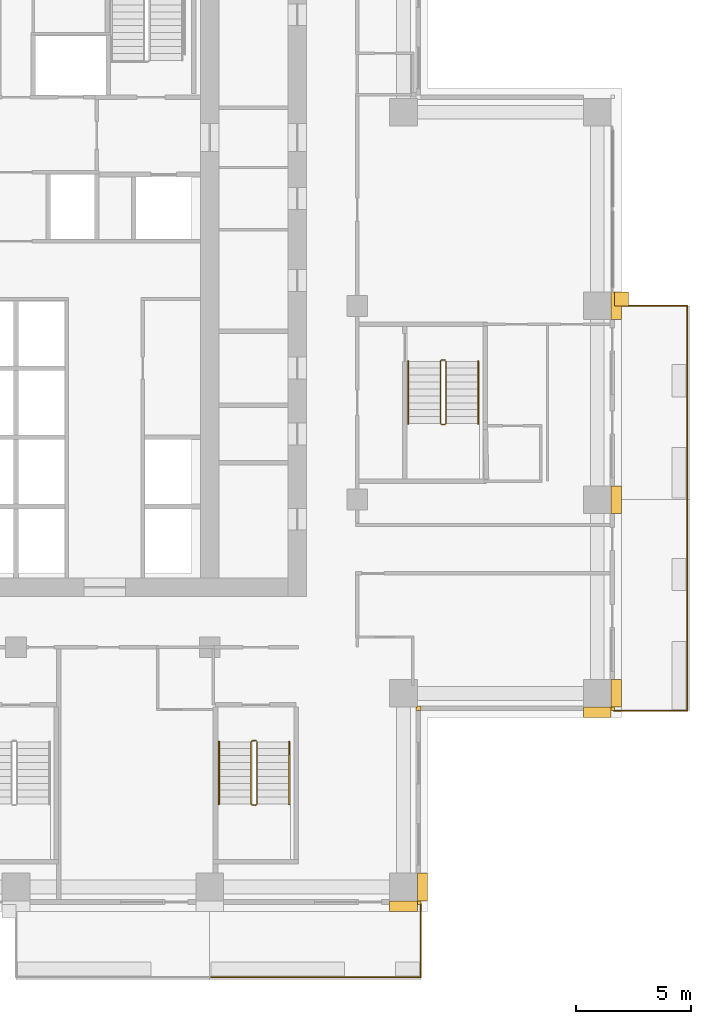
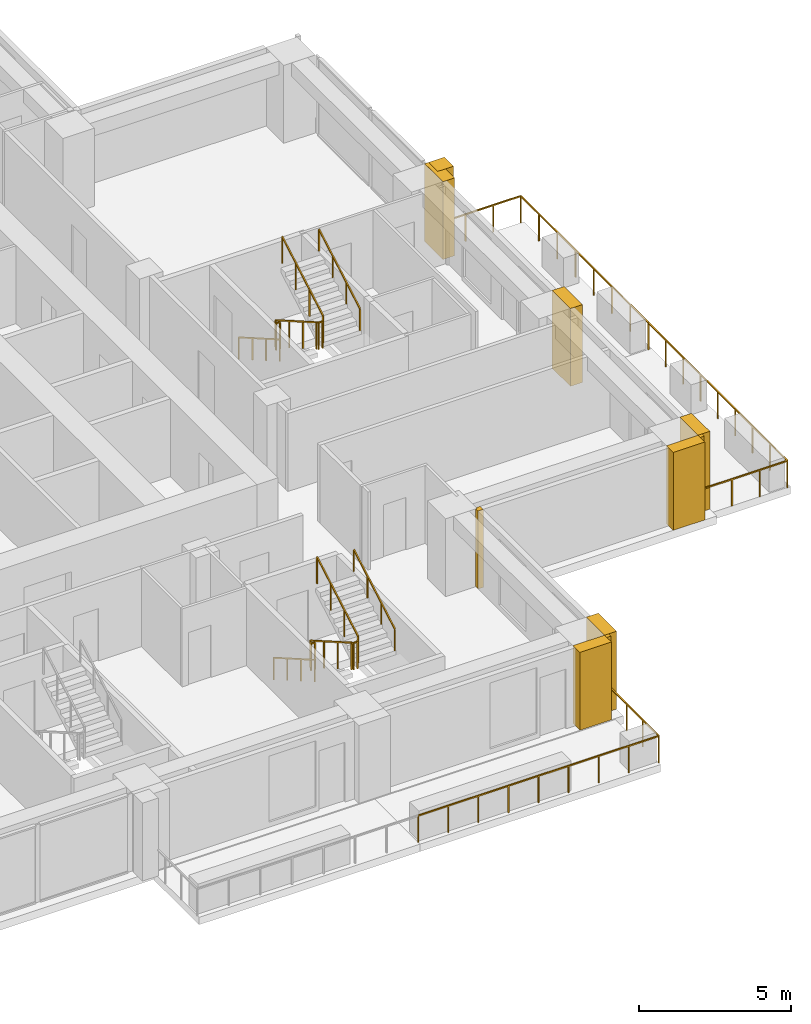
# One storey, part 16 of 18: 10 coverings, 9 railings.
"""IFC4 building model written with IfcOpenShell, lengths in metres."""

from ifc_helpers import new_model, si_unit, direction, frame, origin, origin_2d, place, context, subcontext, project, spatial, polyline, rectangle, outline, extrude, material, type_object, element, save


model = new_model("IFC4")

# Units and contexts
model_context = context("Model", 3, precision=1e-05, world=origin(), true_north=direction((0.0, 1.0)))
body_context = subcontext(model_context, "Body", "Model", "MODEL_VIEW")
ifc_project = project(units=[si_unit("LENGTHUNIT", "METRE"), si_unit("AREAUNIT", "SQUARE_METRE"), si_unit("VOLUMEUNIT", "CUBIC_METRE"), si_unit("PLANEANGLEUNIT", "RADIAN"), si_unit("MASSUNIT", "GRAM", prefix="KILO")], contexts=[model_context])

# Site, building, storey
site_placement = place(None, origin())
site = spatial("IfcSite", under=ifc_project, at=site_placement, CompositionType="ELEMENT")
building_placement = place(site_placement, origin())
building = spatial("IfcBuilding", under=site, at=building_placement, Name="Vermilion Ogive Tower", CompositionType="ELEMENT")
storey_placement = place(building_placement, frame((0.0, 0.0, 108.0)))
storey = spatial("IfcBuildingStorey", under=building, at=storey_placement, Name="L27", CompositionType="ELEMENT", Elevation=108.0)

# Railings
ifc_material_1 = material(Name="Stainless steel and glass", Category="steel")
railing_type_1 = type_object("IfcRailingType", Name="Balcony guard", PredefinedType="GUARDRAIL", material=ifc_material_1)
railing_1_placement = place(storey_placement, frame((8.39990234375, -24.909912109375, -0.0400390625)))
element("IfcRailing", 1, at=railing_1_placement, inside=storey, type_object=railing_type_1, Name="Guard S04", PredefinedType="GUARDRAIL", context=body_context, shape_type="SweptSolid", body=[
    extrude(rectangle(XDim=0.048095703125, YDim=0.048095703125, at=origin_2d()), frame((0.0, 0.0, 1.076171875), z_axis=(1.0, 0.0, 0.0), x_axis=(0.0, 1.0, 0.0)), (0.0, 0.0, 1.0), 9.150146484375),
    extrude(rectangle(XDim=0.048095703125, YDim=0.048095703125, at=origin_2d()), frame((9.150146484375, 0.0, 1.076171875), z_axis=(0.0, 1.0, 0.0), x_axis=(-1.0, 0.0, 0.0)), (0.0, 0.0, 1.0), 3.159912109375),
    extrude(rectangle(XDim=0.0419921875, YDim=0.0419921875, at=origin_2d()), origin(), (0.0, 0.0, 1.0), 1.052001953125),
    extrude(rectangle(XDim=0.0419921875, YDim=0.0419921875, at=origin_2d()), frame((1.143798828125, 0.0, 0.0)), (0.0, 0.0, 1.0), 1.052001953125),
    extrude(rectangle(XDim=0.0419921875, YDim=0.0419921875, at=origin_2d()), frame((2.28759765625, 0.0, 0.0)), (0.0, 0.0, 1.0), 1.052001953125),
    extrude(rectangle(XDim=0.0419921875, YDim=0.0419921875, at=origin_2d()), frame((3.431396484375, 0.0, 0.0)), (0.0, 0.0, 1.0), 1.052001953125),
    extrude(rectangle(XDim=0.0419921875, YDim=0.0419921875, at=origin_2d()), frame((4.5751953125, 0.0, 0.0)), (0.0, 0.0, 1.0), 1.052001953125),
    extrude(rectangle(XDim=0.0419921875, YDim=0.0419921875, at=origin_2d()), frame((5.71875, 0.0, 0.0)), (0.0, 0.0, 1.0), 1.052001953125),
    extrude(rectangle(XDim=0.0419921875, YDim=0.0419921875, at=origin_2d()), frame((6.862548828125, 0.0, 0.0)), (0.0, 0.0, 1.0), 1.052001953125),
    extrude(rectangle(XDim=0.0419921875, YDim=0.0419921875, at=origin_2d()), frame((8.00634765625, 0.0, 0.0)), (0.0, 0.0, 1.0), 1.052001953125),
    extrude(rectangle(XDim=0.0419921875, YDim=0.0419921875, at=origin_2d()), frame((9.150146484375, 0.0, 0.0)), (0.0, 0.0, 1.0), 1.052001953125),
    extrude(rectangle(XDim=0.0419921875, YDim=0.0419921875, at=origin_2d()), frame((9.150146484375, 1.05322265625, 0.0)), (0.0, 0.0, 1.0), 1.052001953125),
    extrude(rectangle(XDim=0.0419921875, YDim=0.0419921875, at=origin_2d()), frame((9.150146484375, 2.106689453125, 0.0)), (0.0, 0.0, 1.0), 1.052001953125),
    extrude(rectangle(XDim=0.0419921875, YDim=0.0419921875, at=origin_2d()), frame((9.150146484375, 3.159912109375, 0.0)), (0.0, 0.0, 1.0), 1.052001953125),
])
railing_2_placement = place(storey_placement, frame((25.949951171875, -13.35009765625, -0.0400390625)))
element("IfcRailing", 2, at=railing_2_placement, inside=storey, type_object=railing_type_1, Name="Guard E01", PredefinedType="GUARDRAIL", context=body_context, shape_type="SweptSolid", body=[
    extrude(rectangle(XDim=0.048095703125, YDim=0.048095703125, at=origin_2d()), frame((0.0, 0.0, 1.076171875), z_axis=(1.0, 0.0, 0.0), x_axis=(0.0, 1.0, 0.0)), (0.0, 0.0, 1.0), 3.16015625),
    extrude(rectangle(XDim=0.048095703125, YDim=0.048095703125, at=origin_2d()), frame((3.16015625, 0.0, 1.076171875), z_axis=(0.0, 1.0, 0.0), x_axis=(-1.0, 0.0, 0.0)), (0.0, 0.0, 1.0), 9.150146484375),
    extrude(rectangle(XDim=0.0419921875, YDim=0.0419921875, at=origin_2d()), origin(), (0.0, 0.0, 1.0), 1.052001953125),
    extrude(rectangle(XDim=0.0419921875, YDim=0.0419921875, at=origin_2d()), frame((1.053466796875, 0.0, 0.0)), (0.0, 0.0, 1.0), 1.052001953125),
    extrude(rectangle(XDim=0.0419921875, YDim=0.0419921875, at=origin_2d()), frame((2.106689453125, 0.0, 0.0)), (0.0, 0.0, 1.0), 1.052001953125),
    extrude(rectangle(XDim=0.0419921875, YDim=0.0419921875, at=origin_2d()), frame((3.16015625, 0.0, 0.0)), (0.0, 0.0, 1.0), 1.052001953125),
    extrude(rectangle(XDim=0.0419921875, YDim=0.0419921875, at=origin_2d()), frame((3.16015625, 1.143798828125, 0.0)), (0.0, 0.0, 1.0), 1.052001953125),
    extrude(rectangle(XDim=0.0419921875, YDim=0.0419921875, at=origin_2d()), frame((3.16015625, 2.28759765625, 0.0)), (0.0, 0.0, 1.0), 1.052001953125),
    extrude(rectangle(XDim=0.0419921875, YDim=0.0419921875, at=origin_2d()), frame((3.16015625, 3.431396484375, 0.0)), (0.0, 0.0, 1.0), 1.052001953125),
    extrude(rectangle(XDim=0.0419921875, YDim=0.0419921875, at=origin_2d()), frame((3.16015625, 4.5751953125, 0.0)), (0.0, 0.0, 1.0), 1.052001953125),
    extrude(rectangle(XDim=0.0419921875, YDim=0.0419921875, at=origin_2d()), frame((3.16015625, 5.71875, 0.0)), (0.0, 0.0, 1.0), 1.052001953125),
    extrude(rectangle(XDim=0.0419921875, YDim=0.0419921875, at=origin_2d()), frame((3.16015625, 6.862548828125, 0.0)), (0.0, 0.0, 1.0), 1.052001953125),
    extrude(rectangle(XDim=0.0419921875, YDim=0.0419921875, at=origin_2d()), frame((3.16015625, 8.00634765625, 0.0)), (0.0, 0.0, 1.0), 1.052001953125),
    extrude(rectangle(XDim=0.0419921875, YDim=0.0419921875, at=origin_2d()), frame((3.16015625, 9.150146484375, 0.0)), (0.0, 0.0, 1.0), 1.052001953125),
])
railing_3_placement = place(storey_placement, frame((29.110107421875, -4.199951171875, -0.0400390625)))
element("IfcRailing", 3, at=railing_3_placement, inside=storey, type_object=railing_type_1, Name="Guard E02", PredefinedType="GUARDRAIL", context=body_context, shape_type="SweptSolid", body=[
    extrude(rectangle(XDim=0.048095703125, YDim=0.048095703125, at=origin_2d()), frame((0.0, 0.0, 1.076171875), z_axis=(0.0, 1.0, 0.0), x_axis=(-1.0, 0.0, 0.0)), (0.0, 0.0, 1.0), 8.39990234375),
    extrude(rectangle(XDim=0.048095703125, YDim=0.048095703125, at=origin_2d()), frame((0.0, 8.39990234375, 1.076171875), z_axis=(-1.0, 0.0, 0.0), x_axis=(0.0, -1.0, 0.0)), (0.0, 0.0, 1.0), 3.16015625),
    extrude(rectangle(XDim=0.0419921875, YDim=0.0419921875, at=origin_2d()), origin(), (0.0, 0.0, 1.0), 1.052001953125),
    extrude(rectangle(XDim=0.0419921875, YDim=0.0419921875, at=origin_2d()), frame((0.0, 1.199951171875, 0.0)), (0.0, 0.0, 1.0), 1.052001953125),
    extrude(rectangle(XDim=0.0419921875, YDim=0.0419921875, at=origin_2d()), frame((0.0, 2.39990234375, 0.0)), (0.0, 0.0, 1.0), 1.052001953125),
    extrude(rectangle(XDim=0.0419921875, YDim=0.0419921875, at=origin_2d()), frame((0.0, 3.599853515625, 0.0)), (0.0, 0.0, 1.0), 1.052001953125),
    extrude(rectangle(XDim=0.0419921875, YDim=0.0419921875, at=origin_2d()), frame((0.0, 4.800048828125, 0.0)), (0.0, 0.0, 1.0), 1.052001953125),
    extrude(rectangle(XDim=0.0419921875, YDim=0.0419921875, at=origin_2d()), frame((0.0, 6.0, 0.0)), (0.0, 0.0, 1.0), 1.052001953125),
    extrude(rectangle(XDim=0.0419921875, YDim=0.0419921875, at=origin_2d()), frame((0.0, 7.199951171875, 0.0)), (0.0, 0.0, 1.0), 1.052001953125),
    extrude(rectangle(XDim=0.0419921875, YDim=0.0419921875, at=origin_2d()), frame((0.0, 8.39990234375, 0.0)), (0.0, 0.0, 1.0), 1.052001953125),
    extrude(rectangle(XDim=0.0419921875, YDim=0.0419921875, at=origin_2d()), frame((-1.053466796875, 8.39990234375, 0.0)), (0.0, 0.0, 1.0), 1.052001953125),
    extrude(rectangle(XDim=0.0419921875, YDim=0.0419921875, at=origin_2d()), frame((-2.106689453125, 8.39990234375, 0.0)), (0.0, 0.0, 1.0), 1.052001953125),
    extrude(rectangle(XDim=0.0419921875, YDim=0.0419921875, at=origin_2d()), frame((-3.16015625, 8.39990234375, 0.0)), (0.0, 0.0, 1.0), 1.052001953125),
])
ifc_material_2 = material(Name="Steel S355 painted", Category="steel")
railing_type_2 = type_object("IfcRailingType", Name="Stair guard 1100", PredefinedType="GUARDRAIL", material=ifc_material_2)
railing_4_placement = place(storey_placement, frame((10.39990234375, -14.64990234375, 0.0)))
element("IfcRailing", 4, at=railing_4_placement, inside=storey, type_object=railing_type_2, Name="L27 ST5 stair guard 4", PredefinedType="GUARDRAIL", context=body_context, shape_type="SweptSolid", body=[
    extrude(rectangle(XDim=0.048095703125, YDim=0.048095703125, at=origin_2d()), frame((0.0, 0.0, 1.076171875), z_axis=(-1.0, 0.0, 0.0), x_axis=(0.0, -1.0, 0.0)), (0.0, 0.0, 1.0), 0.14990234375),
    extrude(rectangle(XDim=0.048095703125, YDim=0.048095703125, at=origin_2d()), frame((-0.14990234375, 0.0, 1.076171875), z_axis=(-0.268277960024, -0.268277960024, 0.925231793839), x_axis=(0.707106781187, -0.707106781187, 0.0)), (0.0, 0.0, 1.0), 0.1865234375),
    extrude(rectangle(XDim=0.048095703125, YDim=0.048095703125, at=origin_2d()), frame((-0.199951171875, -0.050048828125, 1.24853515625), z_axis=(0.0, -0.866903762492, 0.498475542607), x_axis=(1.0, 0.0, 0.0)), (0.0, 0.0, 1.0), 3.114501953125),
    extrude(rectangle(XDim=0.048095703125, YDim=0.048095703125, at=origin_2d()), frame((-0.199951171875, -2.75, 2.80126953125), z_axis=(0.707106781187, -0.707106781187, 0.0), x_axis=(0.707106781187, 0.707106781187, 0.0)), (0.0, 0.0, 1.0), 0.07080078125),
    extrude(rectangle(XDim=0.048095703125, YDim=0.048095703125, at=origin_2d()), frame((-0.14990234375, -2.800048828125, 2.80126953125), z_axis=(1.0, 0.0, 0.0), x_axis=(0.0, 1.0, 0.0)), (0.0, 0.0, 1.0), 0.14990234375),
    extrude(rectangle(XDim=0.048095703125, YDim=0.048095703125, at=origin_2d()), frame((0.0, -2.800048828125, 2.80126953125), z_axis=(0.268603158521, 0.268603158521, 0.925043072762), x_axis=(-0.707106781187, 0.707106781187, 0.0)), (0.0, 0.0, 1.0), 0.186279296875),
    extrude(rectangle(XDim=0.048095703125, YDim=0.048095703125, at=origin_2d()), frame((0.050048828125, -2.75, 2.9736328125), z_axis=(0.0, 0.866903762492, 0.498475542607), x_axis=(-1.0, 0.0, 0.0)), (0.0, 0.0, 1.0), 3.114501953125),
    extrude(rectangle(XDim=0.0419921875, YDim=0.0419921875, at=origin_2d()), origin(), (0.0, 0.0, 1.0), 1.052001953125),
    extrude(rectangle(XDim=0.0419921875, YDim=0.0419921875, at=origin_2d()), frame((-0.14990234375, 0.0, 0.0)), (0.0, 0.0, 1.0), 1.052001953125),
    extrude(rectangle(XDim=0.0419921875, YDim=0.0419921875, at=origin_2d()), frame((-0.199951171875, -0.050048828125, 0.172607421875)), (0.0, 0.0, 1.0), 1.052001953125),
    extrude(rectangle(XDim=0.0419921875, YDim=0.0419921875, at=origin_2d()), frame((-0.199951171875, -0.949951171875, 0.690185546875)), (0.0, 0.0, 1.0), 1.052001953125),
    extrude(rectangle(XDim=0.0419921875, YDim=0.0419921875, at=origin_2d()), frame((-0.199951171875, -1.85009765625, 1.20751953125)), (0.0, 0.0, 1.0), 1.052001953125),
    extrude(rectangle(XDim=0.0419921875, YDim=0.0419921875, at=origin_2d()), frame((-0.199951171875, -2.75, 1.72509765625)), (0.0, 0.0, 1.0), 1.052001953125),
    extrude(rectangle(XDim=0.0419921875, YDim=0.0419921875, at=origin_2d()), frame((-0.14990234375, -2.800048828125, 1.72509765625)), (0.0, 0.0, 1.0), 1.052001953125),
    extrude(rectangle(XDim=0.0419921875, YDim=0.0419921875, at=origin_2d()), frame((0.0, -2.800048828125, 1.72509765625)), (0.0, 0.0, 1.0), 1.052001953125),
    extrude(rectangle(XDim=0.0419921875, YDim=0.0419921875, at=origin_2d()), frame((0.050048828125, -2.75, 1.8974609375)), (0.0, 0.0, 1.0), 1.052001953125),
    extrude(rectangle(XDim=0.0419921875, YDim=0.0419921875, at=origin_2d()), frame((0.050048828125, -1.85009765625, 2.4150390625)), (0.0, 0.0, 1.0), 1.052001953125),
    extrude(rectangle(XDim=0.0419921875, YDim=0.0419921875, at=origin_2d()), frame((0.050048828125, -0.949951171875, 2.932373046875)), (0.0, 0.0, 1.0), 1.052001953125),
    extrude(rectangle(XDim=0.0419921875, YDim=0.0419921875, at=origin_2d()), frame((0.050048828125, -0.050048828125, 3.449951171875)), (0.0, 0.0, 1.0), 1.052001953125),
])
railing_5_placement = place(storey_placement, frame((18.60009765625, 1.85009765625, 0.0)))
element("IfcRailing", 5, at=railing_5_placement, inside=storey, type_object=railing_type_2, Name="L27 ST8 stair guard 4", PredefinedType="GUARDRAIL", context=body_context, shape_type="SweptSolid", body=[
    extrude(rectangle(XDim=0.048095703125, YDim=0.048095703125, at=origin_2d()), frame((0.0, 0.0, 1.076171875), z_axis=(-1.0, 0.0, 0.0), x_axis=(0.0, -1.0, 0.0)), (0.0, 0.0, 1.0), 0.150146484375),
    extrude(rectangle(XDim=0.048095703125, YDim=0.048095703125, at=origin_2d()), frame((-0.150146484375, 0.0, 1.076171875), z_axis=(-0.268277960024, -0.268277960024, 0.925231793839), x_axis=(0.707106781187, -0.707106781187, 0.0)), (0.0, 0.0, 1.0), 0.1865234375),
    extrude(rectangle(XDim=0.048095703125, YDim=0.048095703125, at=origin_2d()), frame((-0.2001953125, -0.050048828125, 1.24853515625), z_axis=(0.0, -0.866903762492, 0.498475542607), x_axis=(1.0, 0.0, 0.0)), (0.0, 0.0, 1.0), 3.114501953125),
    extrude(rectangle(XDim=0.048095703125, YDim=0.048095703125, at=origin_2d()), frame((-0.2001953125, -2.75, 2.80126953125), z_axis=(0.707106781187, -0.707106781187, 0.0), x_axis=(0.707106781187, 0.707106781187, 0.0)), (0.0, 0.0, 1.0), 0.07080078125),
    extrude(rectangle(XDim=0.048095703125, YDim=0.048095703125, at=origin_2d()), frame((-0.150146484375, -2.800048828125, 2.80126953125), z_axis=(1.0, 0.0, 0.0), x_axis=(0.0, 1.0, 0.0)), (0.0, 0.0, 1.0), 0.150146484375),
    extrude(rectangle(XDim=0.048095703125, YDim=0.048095703125, at=origin_2d()), frame((0.0, -2.800048828125, 2.80126953125), z_axis=(0.267386790225, 0.268697509785, 0.925368009307), x_axis=(-0.708833529934, 0.705375805398, 0.0)), (0.0, 0.0, 1.0), 0.186279296875),
    extrude(rectangle(XDim=0.048095703125, YDim=0.048095703125, at=origin_2d()), frame((0.0498046875, -2.75, 2.9736328125), z_axis=(0.0, 0.866903762492, 0.498475542607), x_axis=(-1.0, 0.0, 0.0)), (0.0, 0.0, 1.0), 3.114501953125),
    extrude(rectangle(XDim=0.0419921875, YDim=0.0419921875, at=origin_2d()), origin(), (0.0, 0.0, 1.0), 1.052001953125),
    extrude(rectangle(XDim=0.0419921875, YDim=0.0419921875, at=origin_2d()), frame((-0.150146484375, 0.0, 0.0)), (0.0, 0.0, 1.0), 1.052001953125),
    extrude(rectangle(XDim=0.0419921875, YDim=0.0419921875, at=origin_2d()), frame((-0.2001953125, -0.050048828125, 0.172607421875)), (0.0, 0.0, 1.0), 1.052001953125),
    extrude(rectangle(XDim=0.0419921875, YDim=0.0419921875, at=origin_2d()), frame((-0.2001953125, -0.949951171875, 0.690185546875)), (0.0, 0.0, 1.0), 1.052001953125),
    extrude(rectangle(XDim=0.0419921875, YDim=0.0419921875, at=origin_2d()), frame((-0.2001953125, -1.85009765625, 1.20751953125)), (0.0, 0.0, 1.0), 1.052001953125),
    extrude(rectangle(XDim=0.0419921875, YDim=0.0419921875, at=origin_2d()), frame((-0.2001953125, -2.75, 1.72509765625)), (0.0, 0.0, 1.0), 1.052001953125),
    extrude(rectangle(XDim=0.0419921875, YDim=0.0419921875, at=origin_2d()), frame((-0.150146484375, -2.800048828125, 1.72509765625)), (0.0, 0.0, 1.0), 1.052001953125),
    extrude(rectangle(XDim=0.0419921875, YDim=0.0419921875, at=origin_2d()), frame((0.0, -2.800048828125, 1.72509765625)), (0.0, 0.0, 1.0), 1.052001953125),
    extrude(rectangle(XDim=0.0419921875, YDim=0.0419921875, at=origin_2d()), frame((0.0498046875, -2.75, 1.8974609375)), (0.0, 0.0, 1.0), 1.052001953125),
    extrude(rectangle(XDim=0.0419921875, YDim=0.0419921875, at=origin_2d()), frame((0.0498046875, -1.85009765625, 2.4150390625)), (0.0, 0.0, 1.0), 1.052001953125),
    extrude(rectangle(XDim=0.0419921875, YDim=0.0419921875, at=origin_2d()), frame((0.0498046875, -0.949951171875, 2.932373046875)), (0.0, 0.0, 1.0), 1.052001953125),
    extrude(rectangle(XDim=0.0419921875, YDim=0.0419921875, at=origin_2d()), frame((0.0498046875, -0.050048828125, 3.449951171875)), (0.0, 0.0, 1.0), 1.052001953125),
])
ifc_material_3 = material(Name="Stainless steel", Category="steel")
railing_type_3 = type_object("IfcRailingType", Name="Stair handrail 900", PredefinedType="HANDRAIL", material=ifc_material_3)
railing_6_placement = place(storey_placement, frame((8.800048828125, -14.699951171875, 0.172607421875)))
element("IfcRailing", 6, at=railing_6_placement, inside=storey, type_object=railing_type_3, Name="L27 ST5 stair handrail 1", PredefinedType="HANDRAIL", context=body_context, shape_type="SweptSolid", body=[
    extrude(rectangle(XDim=0.048095703125, YDim=0.048095703125, at=origin_2d()), frame((0.0, 0.0, 0.8759765625), z_axis=(0.0, -0.866903762492, 0.498475542607), x_axis=(1.0, 0.0, 0.0)), (0.0, 0.0, 1.0), 3.114501953125),
    extrude(rectangle(XDim=0.0419921875, YDim=0.0419921875, at=origin_2d()), origin(), (0.0, 0.0, 1.0), 0.851806640625),
    extrude(rectangle(XDim=0.0419921875, YDim=0.0419921875, at=origin_2d()), frame((0.0, -0.89990234375, 0.517578125)), (0.0, 0.0, 1.0), 0.851806640625),
    extrude(rectangle(XDim=0.0419921875, YDim=0.0419921875, at=origin_2d()), frame((0.0, -1.800048828125, 1.034912109375)), (0.0, 0.0, 1.0), 0.851806640625),
    extrude(rectangle(XDim=0.0419921875, YDim=0.0419921875, at=origin_2d()), frame((0.0, -2.699951171875, 1.552490234375)), (0.0, 0.0, 1.0), 0.851806640625),
])
railing_7_placement = place(storey_placement, frame((11.85009765625, -17.39990234375, 1.8974609375)))
element("IfcRailing", 7, at=railing_7_placement, inside=storey, type_object=railing_type_3, Name="L27 ST5 stair handrail 2", PredefinedType="HANDRAIL", context=body_context, shape_type="SweptSolid", body=[
    extrude(rectangle(XDim=0.048095703125, YDim=0.048095703125, at=origin_2d()), frame((0.0, 0.0, 0.8759765625), z_axis=(0.0, 0.866903762492, 0.498475542607), x_axis=(-1.0, 0.0, 0.0)), (0.0, 0.0, 1.0), 3.114501953125),
    extrude(rectangle(XDim=0.0419921875, YDim=0.0419921875, at=origin_2d()), origin(), (0.0, 0.0, 1.0), 0.851806640625),
    extrude(rectangle(XDim=0.0419921875, YDim=0.0419921875, at=origin_2d()), frame((0.0, 0.89990234375, 0.517578125)), (0.0, 0.0, 1.0), 0.851806640625),
    extrude(rectangle(XDim=0.0419921875, YDim=0.0419921875, at=origin_2d()), frame((0.0, 1.800048828125, 1.034912109375)), (0.0, 0.0, 1.0), 0.851806640625),
    extrude(rectangle(XDim=0.0419921875, YDim=0.0419921875, at=origin_2d()), frame((0.0, 2.699951171875, 1.552490234375)), (0.0, 0.0, 1.0), 0.851806640625),
])
railing_8_placement = place(storey_placement, frame((17.0, 1.800048828125, 0.172607421875)))
element("IfcRailing", 8, at=railing_8_placement, inside=storey, type_object=railing_type_3, Name="L27 ST8 stair handrail 1", PredefinedType="HANDRAIL", context=body_context, shape_type="SweptSolid", body=[
    extrude(rectangle(XDim=0.048095703125, YDim=0.048095703125, at=origin_2d()), frame((0.0, 0.0, 0.8759765625), z_axis=(0.0, -0.866903762492, 0.498475542607), x_axis=(1.0, 0.0, 0.0)), (0.0, 0.0, 1.0), 3.114501953125),
    extrude(rectangle(XDim=0.0419921875, YDim=0.0419921875, at=origin_2d()), origin(), (0.0, 0.0, 1.0), 0.851806640625),
    extrude(rectangle(XDim=0.0419921875, YDim=0.0419921875, at=origin_2d()), frame((0.0, -0.89990234375, 0.517578125)), (0.0, 0.0, 1.0), 0.851806640625),
    extrude(rectangle(XDim=0.0419921875, YDim=0.0419921875, at=origin_2d()), frame((0.0, -1.800048828125, 1.034912109375)), (0.0, 0.0, 1.0), 0.851806640625),
    extrude(rectangle(XDim=0.0419921875, YDim=0.0419921875, at=origin_2d()), frame((0.0, -2.699951171875, 1.552490234375)), (0.0, 0.0, 1.0), 0.851806640625),
])
railing_9_placement = place(storey_placement, frame((20.050048828125, -0.89990234375, 1.8974609375)))
element("IfcRailing", 9, at=railing_9_placement, inside=storey, type_object=railing_type_3, Name="L27 ST8 stair handrail 2", PredefinedType="HANDRAIL", context=body_context, shape_type="SweptSolid", body=[
    extrude(rectangle(XDim=0.048095703125, YDim=0.048095703125, at=origin_2d()), frame((0.0, 0.0, 0.8759765625), z_axis=(0.0, 0.866903762492, 0.498475542607), x_axis=(-1.0, 0.0, 0.0)), (0.0, 0.0, 1.0), 3.114501953125),
    extrude(rectangle(XDim=0.0419921875, YDim=0.0419921875, at=origin_2d()), origin(), (0.0, 0.0, 1.0), 0.851806640625),
    extrude(rectangle(XDim=0.0419921875, YDim=0.0419921875, at=origin_2d()), frame((0.0, 0.89990234375, 0.517578125)), (0.0, 0.0, 1.0), 0.851806640625),
    extrude(rectangle(XDim=0.0419921875, YDim=0.0419921875, at=origin_2d()), frame((0.0, 1.800048828125, 1.034912109375)), (0.0, 0.0, 1.0), 0.851806640625),
    extrude(rectangle(XDim=0.0419921875, YDim=0.0419921875, at=origin_2d()), frame((0.0, 2.699951171875, 1.552490234375)), (0.0, 0.0, 1.0), 0.851806640625),
])

# Coverings
ifc_material_4 = material(Name="Stone cladding", Category="masonry")
covering_type_1 = type_object("IfcCoveringType", Name="Stone corner buttress", PredefinedType="CLADDING", material=ifc_material_4)
covering_1_placement = place(storey_placement, origin())
element("IfcCovering", 10, at=covering_1_placement, inside=storey, type_object=covering_type_1, Name="Stone crease pier EK", PredefinedType="CLADDING", context=body_context, shape_type="SweptSolid", body=[
    extrude(outline(polyline([(26.550048828125, 4.199951171875), (26.550048828125, 4.800048828125), (25.949951171875, 4.800048828125), (25.949951171875, 4.199951171875), (26.550048828125, 4.199951171875)])), origin(), (0.0, 0.0, 1.0), 3.1298828125),
])
ifc_material_5 = material(Name="Stone cladding", Category="masonry")
covering_type_2 = type_object("IfcCoveringType", Name="Stone pier", PredefinedType="CLADDING", material=ifc_material_5)
covering_2_placement = place(storey_placement, origin())
element("IfcCovering", 11, at=covering_2_placement, inside=storey, type_object=covering_type_2, Name="Stone corner pier SE1", PredefinedType="CLADDING", context=body_context, shape_type="SweptSolid", body=[
    extrude(outline(polyline([(17.39990234375, -21.75), (17.39990234375, -21.60009765625), (17.39990234375, -21.60009765625), (17.550048828125, -21.60009765625), (17.550048828125, -21.75), (17.39990234375, -21.75)])), origin(), (0.0, 0.0, 1.0), 3.1298828125),
])
covering_3_placement = place(storey_placement, origin())
element("IfcCovering", 12, at=covering_3_placement, inside=storey, type_object=covering_type_2, Name="Stone corner pier X1E1", PredefinedType="CLADDING", context=body_context, shape_type="SweptSolid", body=[
    extrude(outline(polyline([(17.35009765625, -13.199951171875), (17.39990234375, -13.199951171875), (17.39990234375, -13.14990234375), (17.550048828125, -13.14990234375), (17.550048828125, -13.35009765625), (17.35009765625, -13.35009765625), (17.35009765625, -13.199951171875)])), origin(), (0.0, 0.0, 1.0), 3.1298828125),
])
covering_4_placement = place(storey_placement, origin())
element("IfcCovering", 13, at=covering_4_placement, inside=storey, type_object=covering_type_2, Name="Stone corner pier X2E1", PredefinedType="CLADDING", context=body_context, shape_type="SweptSolid", body=[
    extrude(outline(polyline([(25.800048828125, -13.35009765625), (25.800048828125, -13.199951171875), (25.949951171875, -13.199951171875), (25.949951171875, -13.35009765625), (25.800048828125, -13.35009765625)])), origin(), (0.0, 0.0, 1.0), 3.1298828125),
])
covering_5_placement = place(storey_placement, origin())
element("IfcCovering", 14, at=covering_5_placement, inside=storey, type_object=covering_type_2, Name="Stone pier P+0168-210S", PredefinedType="CLADDING", context=body_context, shape_type="SweptSolid", body=[
    extrude(outline(polyline([(17.39990234375, -22.050048828125), (16.199951171875, -22.050048828125), (16.199951171875, -21.60009765625), (17.39990234375, -21.60009765625), (17.39990234375, -22.050048828125)])), origin(), (0.0, 0.0, 1.0), 3.1298828125),
])
covering_6_placement = place(storey_placement, origin())
element("IfcCovering", 15, at=covering_6_placement, inside=storey, type_object=covering_type_2, Name="Stone pier P+0168-210X1", PredefinedType="CLADDING", context=body_context, shape_type="SweptSolid", body=[
    extrude(outline(polyline([(17.85009765625, -21.60009765625), (17.39990234375, -21.60009765625), (17.39990234375, -20.39990234375), (17.85009765625, -20.39990234375), (17.85009765625, -21.60009765625)])), origin(), (0.0, 0.0, 1.0), 3.1298828125),
])
covering_7_placement = place(storey_placement, origin())
element("IfcCovering", 16, at=covering_7_placement, inside=storey, type_object=covering_type_2, Name="Stone pier P+0252+042", PredefinedType="CLADDING", context=body_context, shape_type="SweptSolid", body=[
    extrude(outline(polyline([(25.800048828125, 4.800048828125), (25.800048828125, 4.800048828125), (26.25, 4.800048828125), (26.25, 4.800048828125), (25.949951171875, 4.800048828125), (25.949951171875, 4.199951171875), (26.25, 4.199951171875), (26.25, 3.60009765625), (25.800048828125, 3.60009765625), (25.800048828125, 3.60009765625), (25.800048828125, 4.800048828125)])), origin(), (0.0, 0.0, 1.0), 3.1298828125),
])
covering_8_placement = place(storey_placement, origin())
element("IfcCovering", 17, at=covering_8_placement, inside=storey, type_object=covering_type_2, Name="Stone pier P+0252-042", PredefinedType="CLADDING", context=body_context, shape_type="SweptSolid", body=[
    extrude(outline(polyline([(25.800048828125, -3.60009765625), (26.25, -3.60009765625), (26.25, -4.800048828125), (25.800048828125, -4.800048828125), (25.800048828125, -4.800048828125), (25.800048828125, -3.60009765625)])), origin(), (0.0, 0.0, 1.0), 3.1298828125),
])
covering_9_placement = place(storey_placement, origin())
element("IfcCovering", 18, at=covering_9_placement, inside=storey, type_object=covering_type_2, Name="Stone pier P+0252-126X2", PredefinedType="CLADDING", context=body_context, shape_type="SweptSolid", body=[
    extrude(outline(polyline([(25.800048828125, -13.199951171875), (25.800048828125, -13.64990234375), (24.60009765625, -13.64990234375), (24.60009765625, -13.199951171875), (24.60009765625, -13.199951171875), (25.800048828125, -13.199951171875)])), origin(), (0.0, 0.0, 1.0), 3.1298828125),
])
covering_10_placement = place(storey_placement, origin())
element("IfcCovering", 19, at=covering_10_placement, inside=storey, type_object=covering_type_2, Name="Stone pier P+0252-126E", PredefinedType="CLADDING", context=body_context, shape_type="SweptSolid", body=[
    extrude(outline(polyline([(26.25, -13.199951171875), (25.800048828125, -13.199951171875), (25.800048828125, -12.0), (26.25, -12.0), (26.25, -13.199951171875)])), origin(), (0.0, 0.0, 1.0), 3.1298828125),
])

save(model, "model.ifc")
